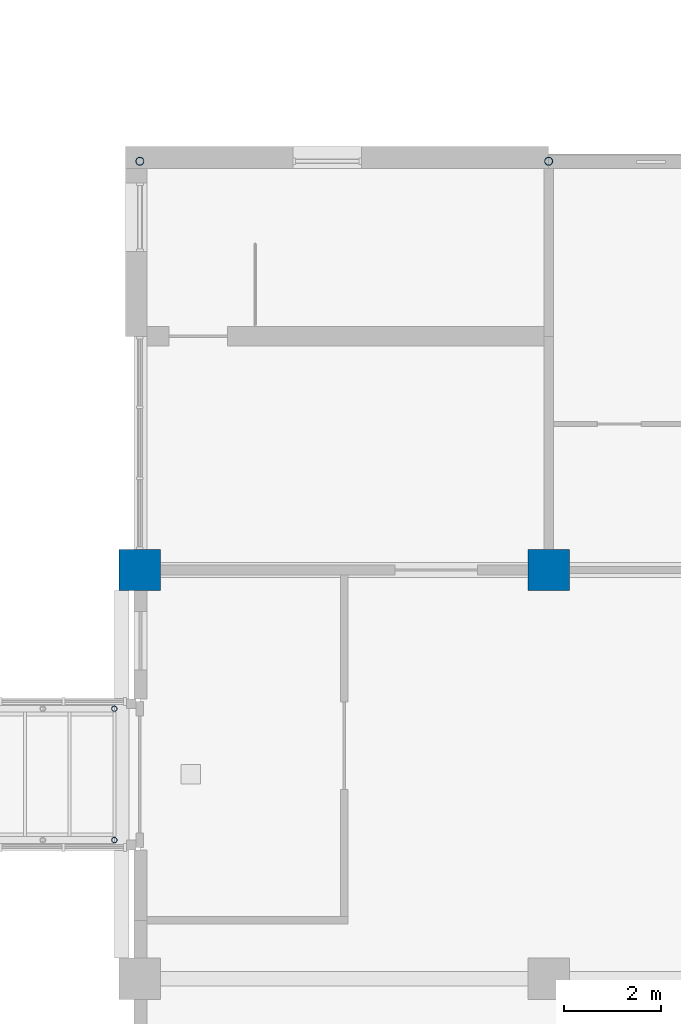
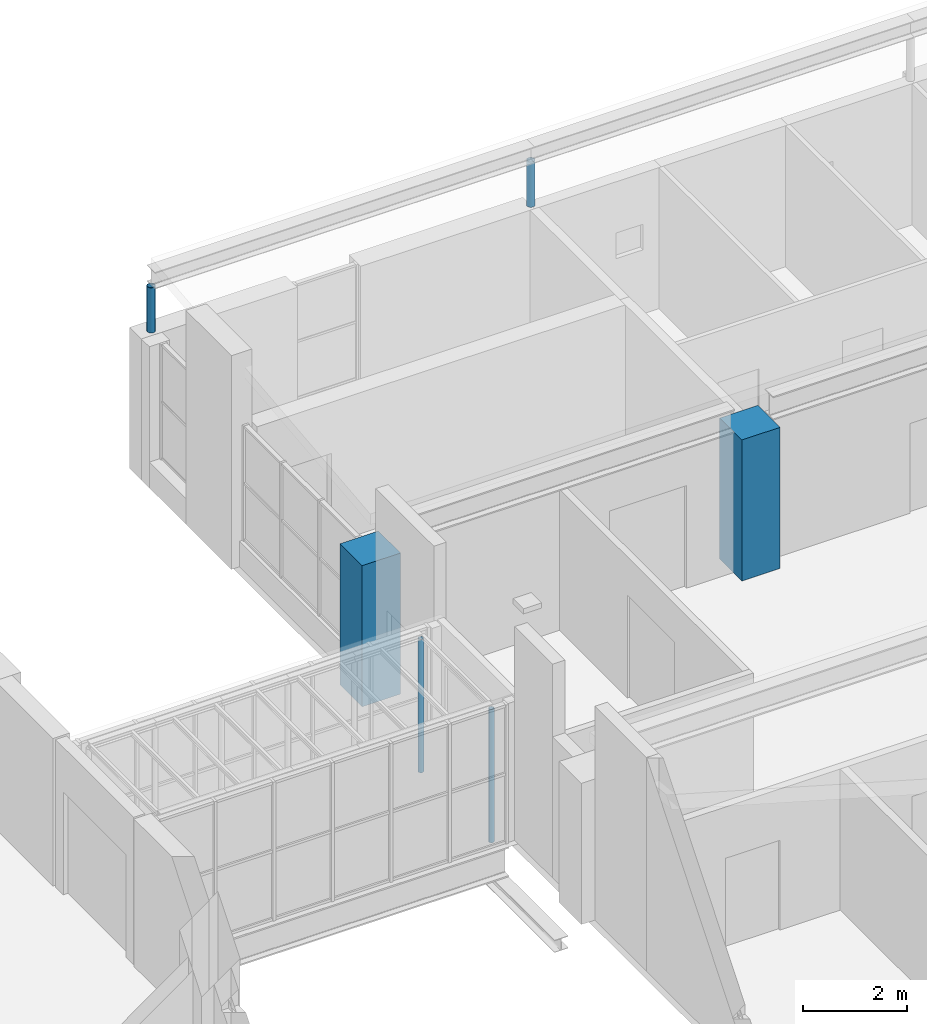
# One storey, part 8 of 94: 6 columns.
"""IFC4 building model written with IfcOpenShell, lengths in metres."""

from ifc_helpers import new_model, si_unit, direction, frame, origin, origin_2d, place, context, subcontext, project, spatial, rectangle, hollow_circle, extrude, material, material_profile, profile_set, type_object, element, save


model = new_model("IFC4")

# Units and contexts
model_context = context("Model", 3, precision=1e-05, world=origin(), true_north=direction((0.0, 1.0)))
body_context = subcontext(model_context, "Body", "Model", "MODEL_VIEW")
ifc_project = project(units=[si_unit("LENGTHUNIT", "METRE"), si_unit("AREAUNIT", "SQUARE_METRE"), si_unit("VOLUMEUNIT", "CUBIC_METRE"), si_unit("PLANEANGLEUNIT", "RADIAN"), si_unit("MASSUNIT", "GRAM", prefix="KILO")], contexts=[model_context])

# Site, building, storey
site_placement = place(None, origin())
site = spatial("IfcSite", under=ifc_project, at=site_placement, CompositionType="ELEMENT")
building_placement = place(site_placement, origin())
building = spatial("IfcBuilding", under=site, at=building_placement, Name="Yavir Park General Hospital", CompositionType="ELEMENT")
storey_placement = place(building_placement, frame((0.0, 0.0, 4.5)))
storey = spatial("IfcBuildingStorey", under=building, at=storey_placement, Name="L01", CompositionType="ELEMENT", Elevation=4.5)

# Columns
ifc_material_1 = material(Name="Steel S355", Category="steel")
ifc_material_profile_1 = material_profile(ifc_material_1, hollow_circle(Radius=0.05712890625, WallThickness=0.00634765625, at=origin_2d()), Name="CHS114.3x6.3")
ifc_profile_set_1 = profile_set([ifc_material_profile_1], Name="Steel S355")
column_type_1 = type_object("IfcColumnType", Name="CHS 114.3x6.3 roof post", PredefinedType="COLUMN", material=ifc_profile_set_1)
for number, where, z_axis, x_axis, name in (
    (1, (33.074951171875, 61.64990234375, 0.0), (0.0, 0.0, 1.0), (1.0, 0.0, 0.0), "RF:BRW:frame:P:5"),
    (2, (33.074951171875, 64.35009765625, 0.0), (0.0, 0.0, 1.0), (1.0, 0.0, 0.0), "RF:BRW:frame:P:11"),
):
    element("IfcColumn", number, at=place(storey_placement, frame(where, z_axis=z_axis, x_axis=x_axis)), inside=storey, type_object=column_type_1, Name=name, PredefinedType="COLUMN", context=body_context, shape_type="SweptSolid", body=[
        extrude(hollow_circle(Radius=0.05712890625, WallThickness=0.00634765625, at=origin_2d()), origin(), (0.0, 0.0, 1.0), 3.116943359375),
    ])
ifc_material_2 = material(Name="Steel S355", Category="steel")
ifc_material_profile_2 = material_profile(ifc_material_2, hollow_circle(Radius=0.084228515625, WallThickness=0.008056640625, at=origin_2d()), Name="CHS168.3x8")
ifc_profile_set_2 = profile_set([ifc_material_profile_2], Name="Steel S355")
column_type_2 = type_object("IfcColumnType", Name="CHS 168.3x8 roof post", PredefinedType="COLUMN", material=ifc_profile_set_2)
for number, where, z_axis, x_axis, name in (
    (3, (33.60009765625, 75.60009765625, 3.300048828125), (0.0, 0.0, 1.0), (1.0, 0.0, 0.0), "C:CLIN:P3336"),
    (4, (42.0, 75.60009765625, 3.300048828125), (0.0, 0.0, 1.0), (1.0, 0.0, 0.0), "C:CLIN:P3420"),
):
    element("IfcColumn", number, at=place(storey_placement, frame(where, z_axis=z_axis, x_axis=x_axis)), inside=storey, type_object=column_type_2, Name=name, PredefinedType="COLUMN", context=body_context, shape_type="SweptSolid", body=[
        extrude(hollow_circle(Radius=0.084228515625, WallThickness=0.008056640625, at=origin_2d()), origin(), (0.0, 0.0, 1.0), 1.057861328125),
    ])
ifc_material_3 = material(Name="Concrete C40/50", Category="concrete")
ifc_material_profile_3 = material_profile(ifc_material_3, rectangle(XDim=0.85009765625, YDim=0.85009765625, at=origin_2d()), Name="RC850x850")
ifc_profile_set_3 = profile_set([ifc_material_profile_3], Name="Concrete C40/50")
column_type_3 = type_object("IfcColumnType", Name="RC COLUMN 850x850", PredefinedType="COLUMN", material=ifc_profile_set_3)
for number, where, z_axis, x_axis, name in (
    (5, (33.60009765625, 67.199951171875, 0.0), (0.0, 0.0, 1.0), (1.0, 0.0, 0.0), "C:L01:5J"),
    (6, (42.0, 67.199951171875, 0.0), (0.0, 0.0, 1.0), (1.0, 0.0, 0.0), "C:L01:6J"),
):
    element("IfcColumn", number, at=place(storey_placement, frame(where, z_axis=z_axis, x_axis=x_axis)), inside=storey, type_object=column_type_3, Name=name, PredefinedType="COLUMN", context=body_context, shape_type="SweptSolid", body=[
        extrude(rectangle(XDim=0.85009765625, YDim=0.85009765625, at=origin_2d()), origin(), (0.0, 0.0, 1.0), 3.300048828125),
    ])

save(model, "model.ifc")
